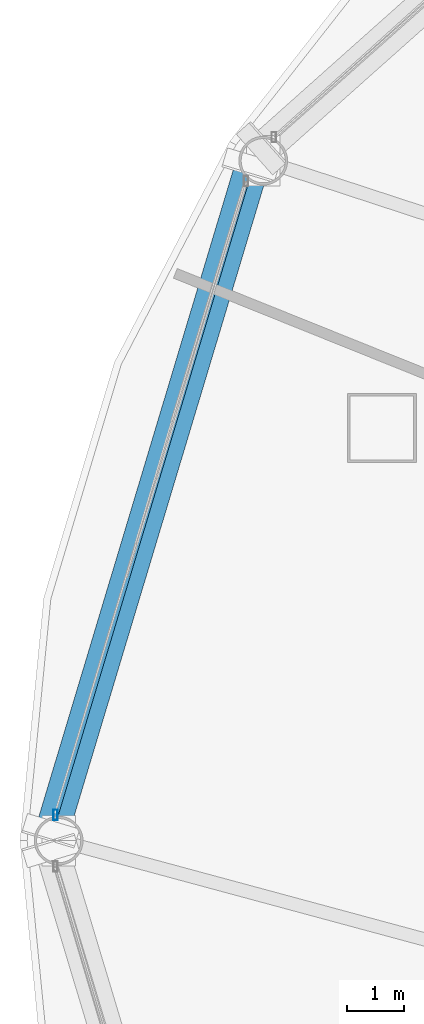
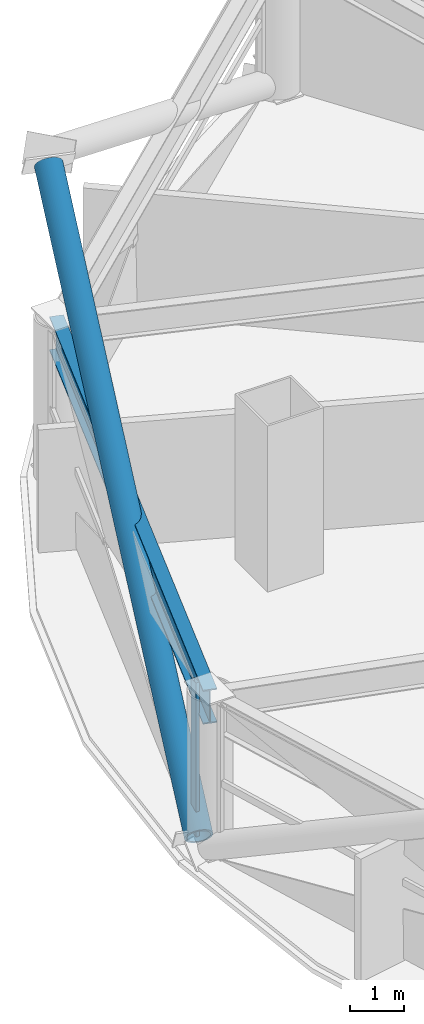
# One storey, part 8 of 31: 2 members, 1 beam, 1 element without a shape of its own.
"""IFC4 building model written with IfcOpenShell, lengths in metres."""

from ifc_helpers import new_model, si_unit, direction, frame, origin, origin_2d, place, context, subcontext, project, spatial, hollow_rectangle, hollow_circle, i_section, extrude, material, layer, layer_set, material_profile, profile_set, type_object, element, aggregate, save


model = new_model("IFC4")

# Units and contexts
model_context = context("Model", 3, precision=1e-05, world=origin(), true_north=direction((0.0, 1.0)))
body_context = subcontext(model_context, "Body", "Model", "MODEL_VIEW")
ifc_project = project(units=[si_unit("LENGTHUNIT", "METRE"), si_unit("AREAUNIT", "SQUARE_METRE"), si_unit("VOLUMEUNIT", "CUBIC_METRE"), si_unit("PLANEANGLEUNIT", "RADIAN"), si_unit("MASSUNIT", "GRAM", prefix="KILO")], contexts=[model_context])

# Site, building, storey
site_placement = place(None, origin())
site = spatial("IfcSite", under=ifc_project, at=site_placement, CompositionType="ELEMENT")
building_placement = place(site_placement, origin())
building = spatial("IfcBuilding", under=site, at=building_placement, Name="Vantalir Tower", CompositionType="ELEMENT")
storey_placement = place(building_placement, frame((0.0, 0.0, 42.0)))
storey = spatial("IfcBuildingStorey", under=building, at=storey_placement, Name="L09", CompositionType="ELEMENT", Elevation=42.0)

# Beam
ifc_material_1 = material(Name="Steel S460", Category="steel")
ifc_material_profile_1 = material_profile(ifc_material_1, i_section(OverallWidth=0.26806640625, OverallDepth=0.77001953125, WebThickness=0.015625, FlangeThickness=0.025390625, at=origin_2d()), Name="Steel S460")
ifc_profile_set_1 = profile_set([ifc_material_profile_1], Name="Steel S460")
beam_type = type_object("IfcBeamType", Name="BM-RG-762x267", PredefinedType="USERDEFINED", material=ifc_profile_set_1)
beam_placement = place(storey_placement, frame((8.429931640625, 36.863037109375, 3.18505859375), z_axis=(-0.288083666515, -0.957605242826, 0.0), x_axis=(0.957605242826, -0.288083666515, 0.0)))
element("IfcBeam", 1, at=beam_placement, inside=storey, type_object=beam_type, Name="L09 Circumferential Ring Girder 06", ObjectType="GIRDER", PredefinedType="USERDEFINED", context=body_context, shape_type="SweptSolid", body=[
    extrude(i_section(OverallWidth=0.26806640625, OverallDepth=0.77001953125, WebThickness=0.015625, FlangeThickness=0.025390625, at=origin_2d()), origin(), (0.0, 0.0, 1.0), 12.38818359375),
])

# Curtain wall, member
ifc_material_2 = material(Name="Champagne-silver PVDF aluminium and double-silver Low-E glass", Category="aluminium")
ifc_layer = layer(ifc_material_2, 0.18994140625)
ifc_layer_set = layer_set([ifc_layer], Name="Champagne-silver PVDF aluminium and double-silver Low-E glass")
curtain_wall_type = type_object("IfcCurtainWallType", Name="CW-DIAMOND-Z1", PredefinedType="USERDEFINED", material=ifc_layer_set)
curtain_wall_placement = place(storey_placement, origin())
curtain_wall = element("IfcCurtainWall", 2, at=curtain_wall_placement, inside=storey, type_object=curtain_wall_type, Name="L09 Quilted Pyramid-Diamond Curtain Wall S06", ObjectType="UNITISED CURTAIN WALL", PredefinedType="USERDEFINED")
ifc_material_3 = material(Name="Champagne-silver PVDF aluminium 6063-T6", Category="aluminium")
ifc_material_profile_2 = material_profile(ifc_material_3, hollow_rectangle(XDim=0.074951171875, YDim=0.179931640625, WallThickness=0.00390625, at=origin_2d()), Name="Champagne-silver PVDF aluminium 6063-T6")
ifc_profile_set_2 = profile_set([ifc_material_profile_2], Name="Champagne-silver PVDF aluminium 6063-T6")
member_type_1 = type_object("IfcMemberType", Name="CWM-180x75", PredefinedType="MULLION", material=ifc_profile_set_2)
member_1_placement = place(storey_placement, frame((4.805908203125, 25.449951171875, 0.044921875), z_axis=(0.0, 0.0, 1.0), x_axis=(1.0, 0.0, 0.0)))
member_1 = element("IfcMember", 3, at=member_1_placement, type_object=member_type_1, Name="CW-L09-S06 Mullion 2", PredefinedType="MULLION", context=body_context, shape_type="SweptSolid", body=[
    extrude(hollow_rectangle(XDim=0.074951171875, YDim=0.179931640625, WallThickness=0.00390625, at=origin_2d()), origin(), (0.0, 0.0, 1.0), 3.47998046875),
])
aggregate(curtain_wall, [member_1])

# Member
ifc_material_profile_3 = material_profile(ifc_material_1, hollow_circle(Radius=0.27001953125, WallThickness=0.044921875, at=origin_2d()), Name="Steel S460")
ifc_profile_set_3 = profile_set([ifc_material_profile_3], Name="Steel S460")
member_type_2 = type_object("IfcMemberType", Name="MEM-DB-540x45", PredefinedType="BRACE", material=ifc_profile_set_3)
member_2_placement = place(storey_placement, frame((4.72607421875, 25.18310546875, 0.18896484375), z_axis=(0.249678116627, 0.830744006827, 0.497519078225), x_axis=(-0.957681827063, 0.287828973719, 0.0)))
element("IfcMember", 4, at=member_2_placement, inside=storey, type_object=member_type_2, Name="L09 Perimeter S460 Diagrid Brace R19R", PredefinedType="BRACE", context=body_context, shape_type="SweptSolid", body=[
    extrude(hollow_circle(Radius=0.27001953125, WallThickness=0.044921875, at=origin_2d()), origin(), (0.0, 0.0, 1.0), 13.95361328125),
])

save(model, "model.ifc")
